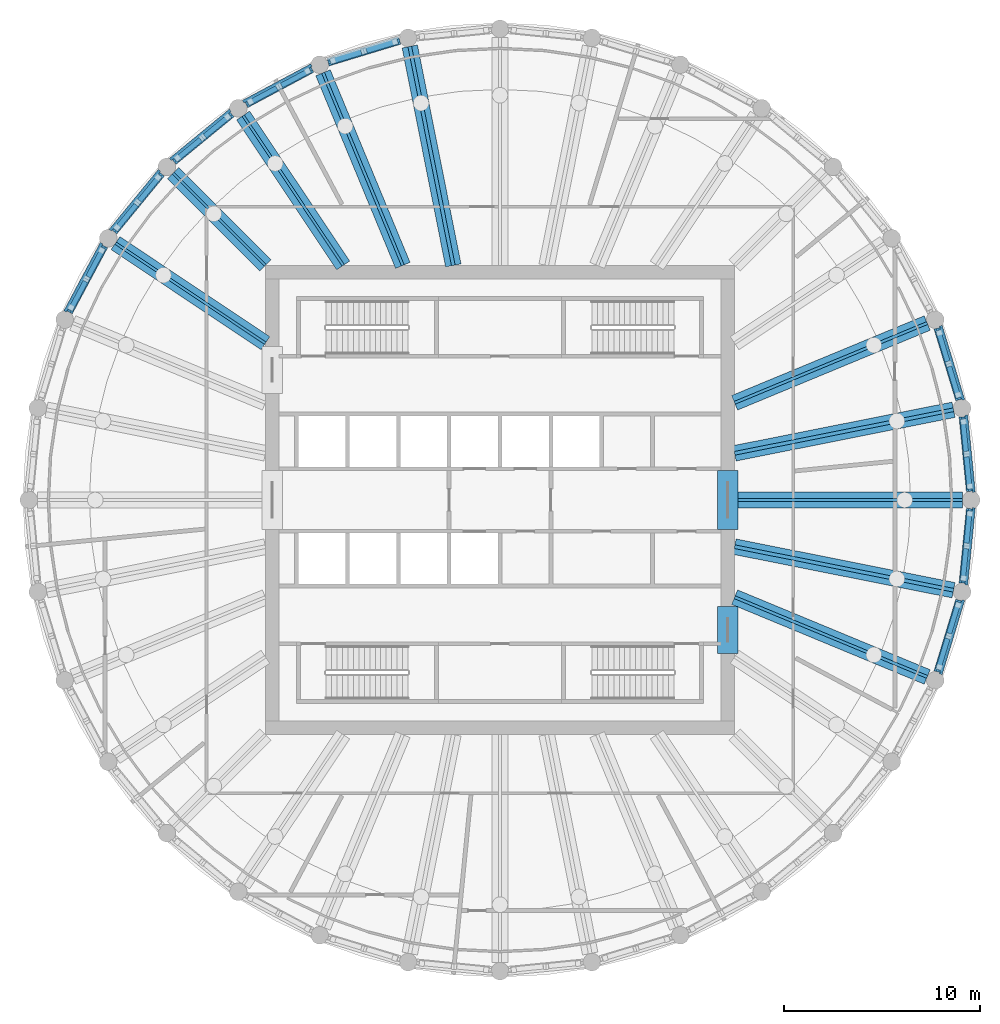
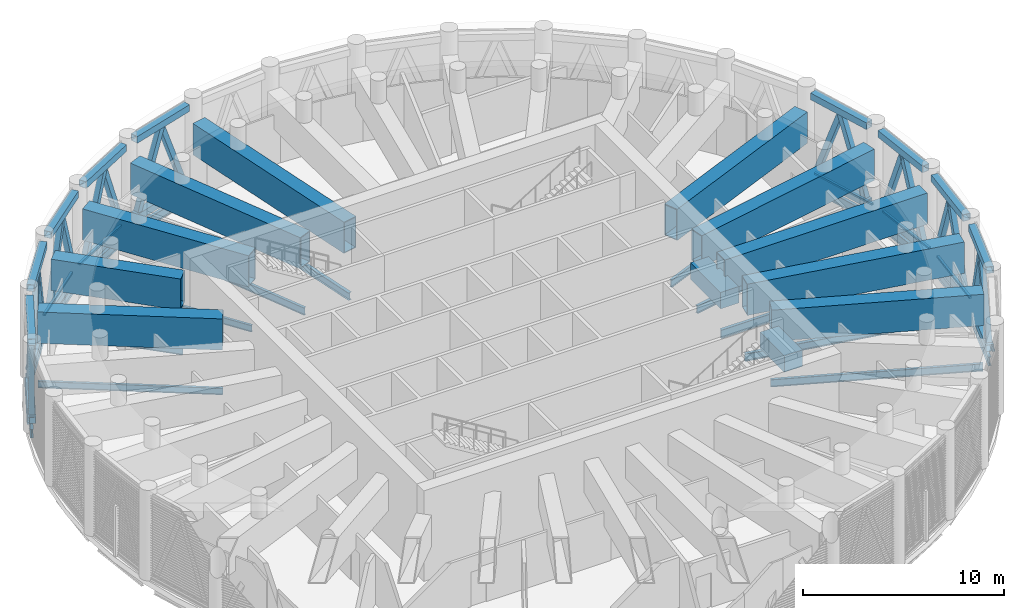
# One storey, part 3 of 19: 44 members, 31 beams, 8 elements without a shape of their own.
"""IFC4 building model written with IfcOpenShell, lengths in metres."""

import ifcopenshell
import ifcopenshell.guid

model = None  # the IFC model being written
_history = None  # IfcOwnerHistory: only IFC2X3 demands one
_inside = {}  # id of a spatial element -> (the spatial element, [elements in it])
_under = {}  # id of a project, library or spatial element -> (it, [spatial elements below it])
_declared = {}  # id of a project -> (the project, [libraries it declares])
_typed = {}  # id of a type object -> (the type object, [elements of that type])
_made_of = {}  # id of a material, layer set ... -> (it, [elements and type objects made of it])


def new_model(schema):
    """Start an empty IFC model of exactly this schema.

    Asked for "IFC4X3", IfcOpenShell would pick the latest addendum, in which some entities
    have other attributes; the version numbers below select the first issue.
    IFC2X3 requires an IfcOwnerHistory on every rooted entity: one is made here for all.
    """
    global model, _history
    if schema == "IFC4X3":
        model = ifcopenshell.file(schema_version=(4, 3, 0, 0))
    else:
        model = ifcopenshell.file(schema=schema)
    _inside.clear()
    _under.clear()
    _declared.clear()
    _typed.clear()
    _made_of.clear()
    _history = None
    if model.schema == "IFC2X3":
        org = make("IfcOrganization", Name="unknown")
        user = make(
            "IfcPersonAndOrganization",
            ThePerson=make("IfcPerson", FamilyName="unknown"),
            TheOrganization=org,
        )
        app = make(
            "IfcApplication",
            ApplicationDeveloper=org,
            Version="unknown",
            ApplicationFullName="unknown",
            ApplicationIdentifier="unknown",
        )
        _history = make(
            "IfcOwnerHistory",
            OwningUser=user,
            OwningApplication=app,
            ChangeAction="ADDED",
            CreationDate=0,
        )
    return model


def make(cls, **values):
    """One entity of the class cls with the attributes given. An attribute that is None is left unset."""
    return model.create_entity(
        cls, **{name: value for name, value in values.items() if value is not None}
    )


def rooted(cls, **values):
    """An entity with a GlobalId (a new one), such as an element, a storey or a relation."""
    return make(cls, GlobalId=ifcopenshell.guid.new(), OwnerHistory=_history, **values)


def si_unit(unit_type, name, prefix=None):
    """IfcSIUnit, for example si_unit("LENGTHUNIT", "METRE", prefix="MILLI")."""
    return make("IfcSIUnit", UnitType=unit_type, Prefix=prefix, Name=name)


def assignment(units):
    """IfcUnitAssignment: the units of a project."""
    return None if units is None else make("IfcUnitAssignment", Units=units)


def point(xyz):
    """IfcCartesianPoint."""
    return None if xyz is None else make("IfcCartesianPoint", Coordinates=xyz)


def direction(xyz):
    """IfcDirection."""
    return None if xyz is None else make("IfcDirection", DirectionRatios=xyz)


def frame(location, z_axis=None, x_axis=None):
    """IfcAxis2Placement3D, a coordinate frame: its origin and axes. An axis left out is left unset."""
    return make(
        "IfcAxis2Placement3D",
        Location=point(location),
        Axis=direction(z_axis),
        RefDirection=direction(x_axis),
    )


def frame_2d(location, x_axis=None):
    """IfcAxis2Placement2D, a coordinate frame in the plane: its origin and x axis."""
    return make(
        "IfcAxis2Placement2D", Location=point(location), RefDirection=direction(x_axis)
    )


def origin():
    """The frame at (0, 0, 0) with its axes left unset."""
    return frame((0.0, 0.0, 0.0))


def origin_2d():
    """The frame at (0, 0) in the plane with its x axis left unset."""
    return frame_2d((0.0, 0.0))


def place(relative_to, where):
    """IfcLocalPlacement: puts the frame where relative to a parent placement (None: the world)."""
    return make(
        "IfcLocalPlacement", PlacementRelTo=relative_to, RelativePlacement=where
    )


def context(
    kind, dimensions, precision=None, world=None, true_north=None, identifier=None
):
    """IfcGeometricRepresentationContext, for example the 3D "Model" context."""
    return make(
        "IfcGeometricRepresentationContext",
        ContextIdentifier=identifier,
        ContextType=kind,
        CoordinateSpaceDimension=dimensions,
        Precision=precision,
        WorldCoordinateSystem=world,
        TrueNorth=true_north,
    )


def subcontext(parent, identifier, kind, view, scale=None):
    """IfcGeometricRepresentationSubContext, for example "Body" below "Model"."""
    return make(
        "IfcGeometricRepresentationSubContext",
        ContextIdentifier=identifier,
        ContextType=kind,
        ParentContext=parent,
        TargetScale=scale,
        TargetView=view,
    )


def project(units=None, contexts=None):
    """IfcProject with its units and contexts."""
    return rooted(
        "IfcProject",
        Name="project",
        RepresentationContexts=contexts,
        UnitsInContext=assignment(units),
    )


def spatial(cls, under=None, at=None, **own):
    """A site, building, storey or space (cls), placed at a placement, below another one or the project."""
    s = rooted(cls, ObjectPlacement=at, **own)
    if under is not None:
        _under.setdefault(under.id(), (under, []))[1].append(s)
    return s


def profile(cls, at=None, kind="AREA", **sizes):
    """A parametric profile (cls). Its sizes go by their IFC names, for example OverallWidth=200.0."""
    return make(cls, ProfileType=kind, Position=at, **sizes)


def rectangle(**sizes):
    """IfcRectangleProfileDef."""
    return profile("IfcRectangleProfileDef", **sizes)


def hollow_rectangle(**sizes):
    """IfcRectangleHollowProfileDef."""
    return profile("IfcRectangleHollowProfileDef", **sizes)


def i_section(**sizes):
    """IfcIShapeProfileDef."""
    return profile("IfcIShapeProfileDef", **sizes)


def extrude(swept, where, along, depth):
    """IfcExtrudedAreaSolid: the profile swept, set in the frame where, extruded along a direction by depth."""
    return make(
        "IfcExtrudedAreaSolid",
        SweptArea=swept,
        Position=where,
        ExtrudedDirection=direction(along),
        Depth=depth,
    )


def shape(context_of_items, identifier, shape_type, items):
    """IfcShapeRepresentation: the items that make up one representation, for example the "Body"."""
    return make(
        "IfcShapeRepresentation",
        ContextOfItems=context_of_items,
        RepresentationIdentifier=identifier,
        RepresentationType=shape_type,
        Items=items,
    )


def material(Name=None, Category=None):
    """IfcMaterial."""
    return make("IfcMaterial", Name=Name, Category=Category)


def material_profile(
    of_material, cross_section, Name=None, Category=None, Priority=None
):
    """IfcMaterialProfile: a cross section and its material."""
    return make(
        "IfcMaterialProfile",
        Name=Name,
        Material=of_material,
        Profile=cross_section,
        Priority=Priority,
        Category=Category,
    )


def profile_set(profiles, Name=None, composite=None):
    """IfcMaterialProfileSet."""
    return make(
        "IfcMaterialProfileSet",
        Name=Name,
        MaterialProfiles=profiles,
        CompositeProfile=composite,
    )


def made_of(thing, what):
    """Note that an element or type object is made of a material, layer set ...; save() writes the relation."""
    if what is not None:
        _made_of.setdefault(what.id(), (what, []))[1].append(thing)
    return thing


def type_object(cls, material=None, **own):
    """A type object (cls), such as IfcWallType, which elements share."""
    return made_of(rooted(cls, **own), material)


def element(
    cls,
    number,
    at=None,
    inside=None,
    cuts=None,
    type_object=None,
    material=None,
    context=None,
    identifier="Body",
    shape_type=None,
    held_by="IfcProductDefinitionShape",
    body=None,
    shapes=None,
    **own,
):
    """One element of the class cls, such as IfcWall. Its Tag is "e" and its number.

    at: its placement. inside: the storey or other place that contains it. cuts: it is an
    opening in that element (IfcRelVoidsElement). A single representation is given by context,
    identifier, shape_type and body (its items); several are given by shapes. held_by: the class
    of the entity that holds the representations. save() writes the other relations.
    """
    e = rooted(cls, Tag="e%d" % number, ObjectPlacement=at, **own)
    if body is not None:
        shapes = [shape(context, identifier, shape_type, body)]
    if shapes is not None:
        e.Representation = make(held_by, Representations=shapes)
    if inside is not None:
        _inside.setdefault(inside.id(), (inside, []))[1].append(e)
    if cuts is not None:
        rooted(
            "IfcRelVoidsElement", RelatingBuildingElement=cuts, RelatedOpeningElement=e
        )
    if type_object is not None:
        _typed.setdefault(type_object.id(), (type_object, []))[1].append(e)
    return made_of(e, material)


def aggregate(whole, parts):
    """IfcRelAggregates: a whole, such as a stair, and the parts it consists of."""
    return rooted("IfcRelAggregates", RelatingObject=whole, RelatedObjects=parts)


def save(model, path):
    """Write the relations noted so far, then the file.

    IfcRelAggregates (storeys below a building ...), IfcRelContainedInSpatialStructure (elements
    in a storey), IfcRelDefinesByType, IfcRelAssociatesMaterial and IfcRelDeclares: one each for
    every whole, place, type object, material and project.
    """
    for whole, parts in _under.values():
        aggregate(whole, parts)
    for where, things in _inside.values():
        rooted(
            "IfcRelContainedInSpatialStructure",
            RelatedElements=things,
            RelatingStructure=where,
        )
    for kind, things in _typed.values():
        rooted("IfcRelDefinesByType", RelatedObjects=things, RelatingType=kind)
    for what, things in _made_of.values():
        rooted("IfcRelAssociatesMaterial", RelatedObjects=things, RelatingMaterial=what)
    for by, libraries in _declared.values():
        rooted("IfcRelDeclares", RelatingContext=by, RelatedDefinitions=libraries)
    model.write(path)


model = new_model("IFC4")

# Units and contexts
model_context = context("Model", 3, precision=1e-05, world=origin(), true_north=direction((0.0, 1.0)))
body_context = subcontext(model_context, "Body", "Model", "MODEL_VIEW")
ifc_project = project(units=[si_unit("LENGTHUNIT", "METRE"), si_unit("AREAUNIT", "SQUARE_METRE"), si_unit("VOLUMEUNIT", "CUBIC_METRE"), si_unit("PLANEANGLEUNIT", "RADIAN"), si_unit("MASSUNIT", "GRAM", prefix="KILO")], contexts=[model_context])

# Site, building, storey
site_placement = place(None, origin())
site = spatial("IfcSite", under=ifc_project, at=site_placement, CompositionType="ELEMENT")
building_placement = place(site_placement, origin())
building = spatial("IfcBuilding", under=site, at=building_placement, Name="Corvane Civic Tower", CompositionType="ELEMENT")
storey_placement = place(building_placement, frame((0.0, 0.0, 319.0)))
storey = spatial("IfcBuildingStorey", under=building, at=storey_placement, Name="L76", CompositionType="ELEMENT", Elevation=319.0)

# Members
ifc_material_1 = material(Name="Steel ASTM A500 Gr C", Category="steel")
ifc_material_profile_1 = material_profile(ifc_material_1, hollow_rectangle(XDim=0.406494140625, YDim=0.406494140625, WallThickness=0.0146484375, at=origin_2d()), Name="HSS16X16X5/8")
ifc_profile_set_1 = profile_set([ifc_material_profile_1], Name="Steel ASTM A500 Gr C")
member_type_1 = type_object("IfcMemberType", Name="BELT CHORD HSS16X16X5/8", PredefinedType="CHORD", material=ifc_profile_set_1)
for number, where, z_axis, x_axis, name in (
    (1, (22.39599609375, 8.7919921875, 4.94677734375), (0.290333385085, -0.95692555902, 0.0), (0.95692555902, 0.290333385085, 0.0), "Belt truss BT-L76"),
    (2, (22.39599609375, 8.7919921875, 0.203125), (0.290333385085, -0.95692555902, 0.0), (0.95692555902, 0.290333385085, 0.0), "Belt truss BT-L76"),
    (3, (23.68115234375, 4.25390625, 4.94677734375), (0.097986732007, -0.995187721162, 0.0), (0.995187721162, 0.097986732007, 0.0), "Belt truss BT-L76"),
    (4, (23.68115234375, 4.25390625, 0.203125), (0.097986732007, -0.995187721162, 0.0), (0.995187721162, 0.097986732007, 0.0), "Belt truss BT-L76"),
    (5, (24.055908203125, -0.44775390625, 4.94677734375), (-0.097986732007, -0.995187721162, 0.0), (0.995187721162, -0.097986732007, 0.0), "Belt truss BT-L76"),
    (6, (24.055908203125, -0.44775390625, 0.203125), (-0.097986732007, -0.995187721162, 0.0), (0.995187721162, -0.097986732007, 0.0), "Belt truss BT-L76"),
    (7, (23.50634765625, -5.13232421875, 4.94677734375), (-0.290333385085, -0.95692555902, 0.0), (0.95692555902, -0.290333385085, 0.0), "Belt truss BT-L76"),
    (8, (23.50634765625, -5.13232421875, 0.203125), (-0.290333385085, -0.95692555902, 0.0), (0.95692555902, -0.290333385085, 0.0), "Belt truss BT-L76"),
):
    element("IfcMember", number, at=place(storey_placement, frame(where, z_axis=z_axis, x_axis=x_axis)), inside=storey, type_object=member_type_1, Name=name, PredefinedType="CHORD", context=body_context, shape_type="SweptSolid", body=[
        extrude(hollow_rectangle(XDim=0.406494140625, YDim=0.406494140625, WallThickness=0.0146484375, at=origin_2d()), origin(), (0.0, 0.0, 1.0), 3.824462890625),
    ])
for number, where, z_axis, x_axis, name in (
    (9, (-22.05322265625, 9.61962890625, 4.94677734375), (0.471409804487, 0.881914279413, 0.0), (-0.881914279413, 0.471409804487, 0.0), "Belt truss BT-L76"),
    (10, (-22.05322265625, 9.61962890625, 0.203125), (0.471409804487, 0.881914279413, 0.0), (-0.881914279413, 0.471409804487, 0.0), "Belt truss BT-L76"),
):
    element("IfcMember", number, at=place(storey_placement, frame(where, z_axis=z_axis, x_axis=x_axis)), inside=storey, type_object=member_type_1, Name=name, PredefinedType="CHORD", context=body_context, shape_type="SweptSolid", body=[
        extrude(hollow_rectangle(XDim=0.406494140625, YDim=0.406494140625, WallThickness=0.0146484375, at=origin_2d()), origin(), (0.0, 0.0, 1.0), 3.82421875),
    ])
for number, where, z_axis, x_axis, name in (
    (11, (-19.7529296875, 13.737060546875, 4.94677734375), (0.634408562057, 0.772997914867, 0.0), (-0.772997914867, 0.634408562057, 0.0), "Belt truss BT-L76"),
    (12, (-19.7529296875, 13.737060546875, 0.203125), (0.634408562057, 0.772997914867, 0.0), (-0.772997914867, 0.634408562057, 0.0), "Belt truss BT-L76"),
    (13, (-16.693359375, 17.32666015625, 4.94677734375), (0.772997914867, 0.634408562057, 0.0), (-0.634408562057, 0.772997914867, 0.0), "Belt truss BT-L76"),
    (14, (-16.693359375, 17.32666015625, 0.203125), (0.772997914867, 0.634408562057, 0.0), (-0.634408562057, 0.772997914867, 0.0), "Belt truss BT-L76"),
):
    element("IfcMember", number, at=place(storey_placement, frame(where, z_axis=z_axis, x_axis=x_axis)), inside=storey, type_object=member_type_1, Name=name, PredefinedType="CHORD", context=body_context, shape_type="SweptSolid", body=[
        extrude(hollow_rectangle(XDim=0.406494140625, YDim=0.406494140625, WallThickness=0.0146484375, at=origin_2d()), origin(), (0.0, 0.0, 1.0), 3.824462890625),
    ])
for number, where, z_axis, x_axis, name in (
    (15, (-12.9921875, 20.25048828125, 4.94677734375), (0.881914279413, 0.471409804487, 0.0), (-0.471409804487, 0.881914279413, 0.0), "Belt truss BT-L76"),
    (16, (-12.9921875, 20.25048828125, 0.203125), (0.881914279413, 0.471409804487, 0.0), (-0.471409804487, 0.881914279413, 0.0), "Belt truss BT-L76"),
):
    element("IfcMember", number, at=place(storey_placement, frame(where, z_axis=z_axis, x_axis=x_axis)), inside=storey, type_object=member_type_1, Name=name, PredefinedType="CHORD", context=body_context, shape_type="SweptSolid", body=[
        extrude(hollow_rectangle(XDim=0.406494140625, YDim=0.406494140625, WallThickness=0.0146484375, at=origin_2d()), origin(), (0.0, 0.0, 1.0), 3.82421875),
    ])
for number, where, z_axis, x_axis, name in (
    (17, (-8.7919921875, 22.39599609375, 4.94677734375), (0.95692555902, 0.290333385085, 0.0), (-0.290333385085, 0.95692555902, 0.0), "Belt truss BT-L76"),
    (18, (-8.7919921875, 22.39599609375, 0.203125), (0.95692555902, 0.290333385085, 0.0), (-0.290333385085, 0.95692555902, 0.0), "Belt truss BT-L76"),
):
    element("IfcMember", number, at=place(storey_placement, frame(where, z_axis=z_axis, x_axis=x_axis)), inside=storey, type_object=member_type_1, Name=name, PredefinedType="CHORD", context=body_context, shape_type="SweptSolid", body=[
        extrude(hollow_rectangle(XDim=0.406494140625, YDim=0.406494140625, WallThickness=0.0146484375, at=origin_2d()), origin(), (0.0, 0.0, 1.0), 3.824462890625),
    ])
ifc_material_2 = material(Name="Steel ASTM A500 Gr C", Category="steel")
ifc_material_profile_2 = material_profile(ifc_material_2, hollow_rectangle(XDim=0.3046875, YDim=0.3046875, WallThickness=0.01171875, at=origin_2d()), Name="HSS12X12X1/2")
ifc_profile_set_2 = profile_set([ifc_material_profile_2], Name="Steel ASTM A500 Gr C")
member_type_2 = type_object("IfcMemberType", Name="BELT DIAGONAL HSS12X12X1/2", PredefinedType="BRACE", material=ifc_profile_set_2)
for number, where, z_axis, x_axis, name in (
    (19, (22.468505859375, 8.552734375, 0.406494140625), (0.103916136415, -0.34244493108, 0.93377347669), (0.956911919396, 0.29037833686, 0.0), "Belt truss BT-L76"),
    (20, (23.433837890625, 5.37158203125, 0.406494140625), (-0.103916136415, 0.34244493108, 0.93377347669), (-0.956911919396, -0.29037833686, 0.0), "Belt truss BT-L76"),
    (21, (23.70556640625, 4.005126953125, 0.406494140625), (0.035058955222, -0.356161140311, 0.933766625978), (0.995190136957, 0.097962193234, 0.0), "Belt truss BT-L76"),
    (22, (24.031494140625, 0.696533203125, 0.406494140625), (-0.035111452623, 0.356160483497, 0.933764903972), (-0.995175808043, -0.098107650498, 0.0), "Belt truss BT-L76"),
    (23, (24.031494140625, -0.696533203125, 0.406494140625), (-0.035111452623, -0.356160483497, 0.933764903972), (0.995175808043, -0.098107650498, 0.0), "Belt truss BT-L76"),
    (24, (23.70556640625, -4.005126953125, 0.406494140625), (0.035058955222, 0.356161140311, 0.933766625978), (-0.995190136957, 0.097962193234, 0.0), "Belt truss BT-L76"),
    (25, (23.433837890625, -5.37158203125, 0.406494140625), (-0.103916136415, -0.34244493108, 0.93377347669), (0.956911919396, -0.29037833686, 0.0), "Belt truss BT-L76"),
    (26, (22.468505859375, -8.552734375, 0.406494140625), (0.103916136415, 0.34244493108, 0.93377347669), (-0.956911919396, 0.29037833686, 0.0), "Belt truss BT-L76"),
    (27, (-21.935302734375, 9.840087890625, 0.406494140625), (0.168675059844, 0.315588987007, 0.933783869783), (-0.881933774385, 0.471373331446, 0.0), "Belt truss BT-L76"),
    (28, (-20.368408203125, 12.771728515625, 0.406494140625), (-0.168675059844, -0.315588987007, 0.933783869783), (0.881933774385, -0.471373331446, 0.0), "Belt truss BT-L76"),
    (29, (-19.59423828125, 13.93017578125, 0.406494140625), (0.227014556134, 0.27668548819, 0.933760960808), (-0.773086296565, 0.634300857687, 0.0), "Belt truss BT-L76"),
    (30, (-17.4853515625, 16.500244140625, 0.406494140625), (-0.227017857387, -0.276636949162, 0.93377453959), (0.773027198038, -0.634372880168, 0.0), "Belt truss BT-L76"),
    (31, (-16.500244140625, 17.4853515625, 0.406494140625), (0.276636949162, 0.227017857387, 0.93377453959), (-0.634372880168, 0.773027198038, 0.0), "Belt truss BT-L76"),
    (32, (-13.93017578125, 19.59423828125, 0.406494140625), (-0.27668548819, -0.227014556134, 0.933760960808), (0.634300857687, -0.773086296565, 0.0), "Belt truss BT-L76"),
    (33, (-12.771728515625, 20.368408203125, 0.406494140625), (0.315588987007, 0.168675059844, 0.933783869783), (-0.471373331446, 0.881933774385, 0.0), "Belt truss BT-L76"),
    (34, (-9.840087890625, 21.935302734375, 0.406494140625), (-0.315588987007, -0.168675059844, 0.933783869783), (0.471373331446, -0.881933774385, 0.0), "Belt truss BT-L76"),
    (35, (-8.552734375, 22.468505859375, 0.406494140625), (0.34244493108, 0.103916136415, 0.93377347669), (-0.29037833686, 0.956911919396, 0.0), "Belt truss BT-L76"),
    (36, (-5.37158203125, 23.433837890625, 0.406494140625), (-0.34244493108, -0.103916136415, 0.93377347669), (0.29037833686, -0.956911919396, 0.0), "Belt truss BT-L76"),
):
    element("IfcMember", number, at=place(storey_placement, frame(where, z_axis=z_axis, x_axis=x_axis)), inside=storey, type_object=member_type_2, Name=name, PredefinedType="BRACE", context=body_context, shape_type="SweptSolid", body=[
        extrude(hollow_rectangle(XDim=0.3046875, YDim=0.3046875, WallThickness=0.01171875, at=origin_2d()), origin(), (0.0, 0.0, 1.0), 4.644775390625),
    ])

# Beams
ifc_material_3 = material(Name="Concrete C40/50", Category="concrete")
ifc_material_profile_3 = material_profile(ifc_material_3, rectangle(XDim=1.050048828125, YDim=1.0, at=origin_2d()), Name="COUPLING BEAM 1050X1000")
ifc_profile_set_3 = profile_set([ifc_material_profile_3], Name="Concrete C40/50")
beam_type_1 = type_object("IfcBeamType", Name="COUPLING BEAM COUPLING BEAM 1050X1000", PredefinedType="BEAM", material=ifc_profile_set_3)
beam_1_placement = place(storey_placement, frame((11.64990234375, -1.5, 2.60009765625), z_axis=(0.0, 1.0, 0.0), x_axis=(-1.0, 0.0, 0.0)))
element("IfcBeam", 37, at=beam_1_placement, inside=storey, type_object=beam_type_1, Name="BM-L76-cpl-CW-LE", PredefinedType="BEAM", context=body_context, shape_type="SweptSolid", body=[
    extrude(rectangle(XDim=1.050048828125, YDim=1.0, at=origin_2d()), origin(), (0.0, 0.0, 1.0), 3.0),
])
beam_2_placement = place(storey_placement, frame((11.64990234375, -7.85009765625, 2.60009765625), z_axis=(0.0, 1.0, 0.0), x_axis=(-1.0, 0.0, 0.0)))
element("IfcBeam", 38, at=beam_2_placement, inside=storey, type_object=beam_type_1, Name="BM-L76-cpl-CW-ES", PredefinedType="BEAM", context=body_context, shape_type="SweptSolid", body=[
    extrude(rectangle(XDim=1.050048828125, YDim=1.0, at=origin_2d()), origin(), (0.0, 0.0, 1.0), 2.400146484375),
])
ifc_material_4 = material(Name="Steel ASTM A992 Gr 50", Category="steel")
ifc_material_profile_4 = material_profile(ifc_material_4, i_section(OverallWidth=0.165771484375, OverallDepth=0.5283203125, WebThickness=0.009765625, FlangeThickness=0.013671875, at=origin_2d()), Name="W21X50")
ifc_profile_set_4 = profile_set([ifc_material_profile_4], Name="Steel ASTM A992 Gr 50")
beam_type_2 = type_object("IfcBeamType", Name="EDGE BEAM W21X50", PredefinedType="BEAM", material=ifc_profile_set_4)
for number, where, z_axis, x_axis, name in (
    (39, (22.39599609375, 8.7919921875, -0.6142578125), (0.290333385085, -0.95692555902, 0.0), (0.95692555902, 0.290333385085, 0.0), "BM-L76-E07"),
    (40, (23.68115234375, 4.25390625, -0.6142578125), (0.097986732007, -0.995187721162, 0.0), (0.995187721162, 0.097986732007, 0.0), "BM-L76-E08"),
    (41, (24.055908203125, -0.44775390625, -0.6142578125), (-0.097986732007, -0.995187721162, 0.0), (0.995187721162, -0.097986732007, 0.0), "BM-L76-E09"),
    (42, (23.50634765625, -5.13232421875, -0.6142578125), (-0.290333385085, -0.95692555902, 0.0), (0.95692555902, -0.290333385085, 0.0), "BM-L76-E10"),
):
    element("IfcBeam", number, at=place(storey_placement, frame(where, z_axis=z_axis, x_axis=x_axis)), inside=storey, type_object=beam_type_2, Name=name, PredefinedType="BEAM", context=body_context, shape_type="SweptSolid", body=[
        extrude(i_section(OverallWidth=0.165771484375, OverallDepth=0.5283203125, WebThickness=0.009765625, FlangeThickness=0.013671875, at=origin_2d()), origin(), (0.0, 0.0, 1.0), 3.824462890625),
    ])
beam_3_placement = place(storey_placement, frame((-22.05322265625, 9.61962890625, -0.6142578125), z_axis=(0.471409804487, 0.881914279413, 0.0), x_axis=(-0.881914279413, 0.471409804487, 0.0)))
element("IfcBeam", 43, at=beam_3_placement, inside=storey, type_object=beam_type_2, Name="BM-L76-E27", PredefinedType="BEAM", context=body_context, shape_type="SweptSolid", body=[
    extrude(i_section(OverallWidth=0.165771484375, OverallDepth=0.5283203125, WebThickness=0.009765625, FlangeThickness=0.013671875, at=origin_2d()), origin(), (0.0, 0.0, 1.0), 3.82421875),
])
for number, where, z_axis, x_axis, name in (
    (44, (-19.7529296875, 13.737060546875, -0.6142578125), (0.634408562057, 0.772997914867, 0.0), (-0.772997914867, 0.634408562057, 0.0), "BM-L76-E28"),
    (45, (-16.693359375, 17.32666015625, -0.6142578125), (0.772997914867, 0.634408562057, 0.0), (-0.634408562057, 0.772997914867, 0.0), "BM-L76-E29"),
):
    element("IfcBeam", number, at=place(storey_placement, frame(where, z_axis=z_axis, x_axis=x_axis)), inside=storey, type_object=beam_type_2, Name=name, PredefinedType="BEAM", context=body_context, shape_type="SweptSolid", body=[
        extrude(i_section(OverallWidth=0.165771484375, OverallDepth=0.5283203125, WebThickness=0.009765625, FlangeThickness=0.013671875, at=origin_2d()), origin(), (0.0, 0.0, 1.0), 3.824462890625),
    ])
beam_4_placement = place(storey_placement, frame((-12.9921875, 20.25048828125, -0.6142578125), z_axis=(0.881914279413, 0.471409804487, 0.0), x_axis=(-0.471409804487, 0.881914279413, 0.0)))
element("IfcBeam", 46, at=beam_4_placement, inside=storey, type_object=beam_type_2, Name="BM-L76-E30", PredefinedType="BEAM", context=body_context, shape_type="SweptSolid", body=[
    extrude(i_section(OverallWidth=0.165771484375, OverallDepth=0.5283203125, WebThickness=0.009765625, FlangeThickness=0.013671875, at=origin_2d()), origin(), (0.0, 0.0, 1.0), 3.82421875),
])
beam_5_placement = place(storey_placement, frame((-8.7919921875, 22.39599609375, -0.6142578125), z_axis=(0.95692555902, 0.290333385085, 0.0), x_axis=(-0.290333385085, 0.95692555902, 0.0)))
element("IfcBeam", 47, at=beam_5_placement, inside=storey, type_object=beam_type_2, Name="BM-L76-E31", PredefinedType="BEAM", context=body_context, shape_type="SweptSolid", body=[
    extrude(i_section(OverallWidth=0.165771484375, OverallDepth=0.5283203125, WebThickness=0.009765625, FlangeThickness=0.013671875, at=origin_2d()), origin(), (0.0, 0.0, 1.0), 3.824462890625),
])
ifc_material_5 = material(Name="Steel ASTM A992 Gr 50", Category="steel")
ifc_material_profile_5 = material_profile(ifc_material_5, i_section(OverallWidth=0.140380859375, OverallDepth=0.40380859375, WebThickness=0.007080078125, FlangeThickness=0.01123046875, at=origin_2d()), Name="W16X31")
ifc_profile_set_5 = profile_set([ifc_material_profile_5], Name="Steel ASTM A992 Gr 50")
beam_type_3 = type_object("IfcBeamType", Name="FLOOR GIRDER W16X31", PredefinedType="BEAM", material=ifc_profile_set_5)
beam_6_placement = place(storey_placement, frame((-12.0, 8.01806640625, -0.552001953125), z_axis=(-0.831471227061, 0.555567816355, 0.0), x_axis=(-0.555567816355, -0.831471227061, 0.0)))
element("IfcBeam", 48, at=beam_6_placement, inside=storey, type_object=beam_type_3, Name="BM-L76-G28", PredefinedType="BEAM", context=body_context, shape_type="SweptSolid", body=[
    extrude(i_section(OverallWidth=0.140380859375, OverallDepth=0.40380859375, WebThickness=0.007080078125, FlangeThickness=0.01123046875, at=origin_2d()), origin(), (0.0, 0.0, 1.0), 9.2177734375),
])
beam_7_placement = place(storey_placement, frame((-12.0, 12.0, -0.552001953125), z_axis=(-0.707106781187, 0.707106781187, 0.0), x_axis=(-0.707106781187, -0.707106781187, 0.0)))
element("IfcBeam", 49, at=beam_7_placement, inside=storey, type_object=beam_type_3, Name="BM-L76-G29", PredefinedType="BEAM", context=body_context, shape_type="SweptSolid", body=[
    extrude(i_section(OverallWidth=0.140380859375, OverallDepth=0.40380859375, WebThickness=0.007080078125, FlangeThickness=0.01123046875, at=origin_2d()), origin(), (0.0, 0.0, 1.0), 6.679443359375),
])
beam_8_placement = place(storey_placement, frame((-8.01806640625, 12.0, -0.552001953125), z_axis=(-0.555567816355, 0.831471227061, 0.0), x_axis=(-0.831471227061, -0.555567816355, 0.0)))
element("IfcBeam", 50, at=beam_8_placement, inside=storey, type_object=beam_type_3, Name="BM-L76-G30", PredefinedType="BEAM", context=body_context, shape_type="SweptSolid", body=[
    extrude(i_section(OverallWidth=0.140380859375, OverallDepth=0.40380859375, WebThickness=0.007080078125, FlangeThickness=0.01123046875, at=origin_2d()), origin(), (0.0, 0.0, 1.0), 9.2177734375),
])
ifc_material_6 = material(Name="Steel ASTM A992 Gr 50", Category="steel")
ifc_material_profile_6 = material_profile(ifc_material_6, i_section(OverallWidth=0.15283203125, OverallDepth=0.45458984375, WebThickness=0.008056640625, FlangeThickness=0.013427734375, at=origin_2d()), Name="W18X40")
ifc_profile_set_6 = profile_set([ifc_material_profile_6], Name="Steel ASTM A992 Gr 50")
beam_type_4 = type_object("IfcBeamType", Name="FLOOR GIRDER W18X40", PredefinedType="BEAM", material=ifc_profile_set_6)
for number, where, z_axis, x_axis, name in (
    (51, (12.0, 4.970458984375, -0.577392578125), (0.923875048589, 0.382694257331, 0.0), (-0.382694257331, 0.923875048589, 0.0), "BM-L76-G07"),
    (52, (12.0, -4.970458984375, -0.577392578125), (0.923875048589, -0.382694257331, 0.0), (0.382694257331, 0.923875048589, 0.0), "BM-L76-G11"),
    (53, (-4.970458984375, 12.0, -0.577392578125), (-0.382694257331, 0.923875048589, 0.0), (-0.923875048589, -0.382694257331, 0.0), "BM-L76-G31"),
):
    element("IfcBeam", number, at=place(storey_placement, frame(where, z_axis=z_axis, x_axis=x_axis)), inside=storey, type_object=beam_type_4, Name=name, PredefinedType="BEAM", context=body_context, shape_type="SweptSolid", body=[
        extrude(i_section(OverallWidth=0.15283203125, OverallDepth=0.45458984375, WebThickness=0.008056640625, FlangeThickness=0.013427734375, at=origin_2d()), origin(), (0.0, 0.0, 1.0), 10.661376953125),
    ])
ifc_material_7 = material(Name="Steel ASTM A992 Gr 50", Category="steel")
ifc_material_profile_7 = material_profile(ifc_material_7, i_section(OverallWidth=0.1904296875, OverallDepth=0.457275390625, WebThickness=0.009033203125, FlangeThickness=0.014404296875, at=origin_2d()), Name="W18X50")
ifc_profile_set_7 = profile_set([ifc_material_profile_7], Name="Steel ASTM A992 Gr 50")
beam_type_5 = type_object("IfcBeamType", Name="FLOOR GIRDER W18X50", PredefinedType="BEAM", material=ifc_profile_set_7)
for number, where, z_axis, x_axis, name in (
    (54, (12.0, 2.386962890625, -0.57861328125), (0.980787426529, 0.195079532402, 0.0), (-0.195079532402, 0.980787426529, 0.0), "BM-L76-G08"),
    (55, (12.0, -2.386962890625, -0.57861328125), (0.980787426529, -0.195079532402, 0.0), (0.195079532402, 0.980787426529, 0.0), "BM-L76-G10"),
    (56, (-2.386962890625, 12.0, -0.57861328125), (-0.195079532402, 0.980787426529, 0.0), (-0.980787426529, -0.195079532402, 0.0), "BM-L76-G32"),
):
    element("IfcBeam", number, at=place(storey_placement, frame(where, z_axis=z_axis, x_axis=x_axis)), inside=storey, type_object=beam_type_5, Name=name, PredefinedType="BEAM", context=body_context, shape_type="SweptSolid", body=[
        extrude(i_section(OverallWidth=0.1904296875, OverallDepth=0.457275390625, WebThickness=0.009033203125, FlangeThickness=0.014404296875, at=origin_2d()), origin(), (0.0, 0.0, 1.0), 11.414794921875),
    ])
ifc_material_8 = material(Name="Steel ASTM A992 Gr 50", Category="steel")
ifc_material_profile_8 = material_profile(ifc_material_8, i_section(OverallWidth=0.165771484375, OverallDepth=0.5283203125, WebThickness=0.009765625, FlangeThickness=0.013671875, at=origin_2d()), Name="W21X50")
ifc_profile_set_8 = profile_set([ifc_material_profile_8], Name="Steel ASTM A992 Gr 50")
beam_type_6 = type_object("IfcBeamType", Name="FLOOR GIRDER W21X50", PredefinedType="BEAM", material=ifc_profile_set_8)
beam_9_placement = place(storey_placement, frame((12.0, 0.0, -0.6142578125), z_axis=(1.0, 0.0, 0.0), x_axis=(0.0, 1.0, 0.0)))
element("IfcBeam", 57, at=beam_9_placement, inside=storey, type_object=beam_type_6, Name="BM-L76-G09", PredefinedType="BEAM", context=body_context, shape_type="SweptSolid", body=[
    extrude(i_section(OverallWidth=0.165771484375, OverallDepth=0.5283203125, WebThickness=0.009765625, FlangeThickness=0.013671875, at=origin_2d()), origin(), (0.0, 0.0, 1.0), 11.64990234375),
])

# Curtain wall, member
ifc_material_9 = material(Name="Anodised aluminium bronze", Category="aluminium")
curtain_wall_type = type_object("IfcCurtainWallType", Name="TOWER CW-LV LOUVRE SCREEN WALL", PredefinedType="NOTDEFINED", material=ifc_material_9)
curtain_wall_1_placement = place(storey_placement, origin())
curtain_wall_1 = element("IfcCurtainWall", 58, at=curtain_wall_1_placement, inside=storey, type_object=curtain_wall_type, Name="Louvre screen wall CW-LV L76 bay 07", PredefinedType="NOTDEFINED")
ifc_material_10 = material(Name="Anodised aluminium bronze", Category="aluminium")
ifc_material_profile_9 = material_profile(ifc_material_10, rectangle(XDim=0.139892578125, YDim=0.1201171875, at=origin_2d()), Name="TOWER CW-LV TRANSOM 140x120")
ifc_profile_set_9 = profile_set([ifc_material_profile_9], Name="Anodised aluminium bronze")
member_type_3 = type_object("IfcMemberType", Name="TOWER CW-LV TRANSOM 140x120", PredefinedType="USERDEFINED", material=ifc_profile_set_9)
member_1_placement = place(storey_placement, frame((22.548095703125, 8.908447265625, 0.06005859375), z_axis=(0.290265825309, -0.956946054205, 0.0), x_axis=(0.956946054205, 0.290265825309, 0.0)))
member_1 = element("IfcMember", 59, at=member_1_placement, type_object=member_type_3, Name="Transom CW-LV L76 07.1", ObjectType="TRANSOM", PredefinedType="USERDEFINED", context=body_context, shape_type="SweptSolid", body=[
    extrude(rectangle(XDim=0.139892578125, YDim=0.1201171875, at=origin_2d()), origin(), (0.0, 0.0, 1.0), 3.958984375),
])
aggregate(curtain_wall_1, [member_1])

curtain_wall_2_placement = place(storey_placement, origin())
curtain_wall_2 = element("IfcCurtainWall", 60, at=curtain_wall_2_placement, inside=storey, type_object=curtain_wall_type, Name="Louvre screen wall CW-LV L76 bay 08", PredefinedType="NOTDEFINED")
member_2_placement = place(storey_placement, frame((23.852783203125, 4.338134765625, 0.06005859375), z_axis=(0.097995409999, -0.995186866683, 0.0), x_axis=(0.995186866683, 0.097995409999, 0.0)))
member_2 = element("IfcMember", 61, at=member_2_placement, type_object=member_type_3, Name="Transom CW-LV L76 08.1", ObjectType="TRANSOM", PredefinedType="USERDEFINED", context=body_context, shape_type="SweptSolid", body=[
    extrude(rectangle(XDim=0.139892578125, YDim=0.1201171875, at=origin_2d()), origin(), (0.0, 0.0, 1.0), 3.958740234375),
])
aggregate(curtain_wall_2, [member_2])

curtain_wall_3_placement = place(storey_placement, origin())
curtain_wall_3 = element("IfcCurtainWall", 62, at=curtain_wall_3_placement, inside=storey, type_object=curtain_wall_type, Name="Louvre screen wall CW-LV L76 bay 09", PredefinedType="NOTDEFINED")
member_3_placement = place(storey_placement, frame((24.24072265625, -0.3984375, 0.06005859375), z_axis=(-0.097995409999, -0.995186866683, 0.0), x_axis=(0.995186866683, -0.097995409999, 0.0)))
member_3 = element("IfcMember", 63, at=member_3_placement, type_object=member_type_3, Name="Transom CW-LV L76 09.1", ObjectType="TRANSOM", PredefinedType="USERDEFINED", context=body_context, shape_type="SweptSolid", body=[
    extrude(rectangle(XDim=0.139892578125, YDim=0.1201171875, at=origin_2d()), origin(), (0.0, 0.0, 1.0), 3.958740234375),
])
aggregate(curtain_wall_3, [member_3])

curtain_wall_4_placement = place(storey_placement, origin())
curtain_wall_4 = element("IfcCurtainWall", 64, at=curtain_wall_4_placement, inside=storey, type_object=curtain_wall_type, Name="Louvre screen wall CW-LV L76 bay 10", PredefinedType="NOTDEFINED")
member_4_placement = place(storey_placement, frame((23.697265625, -5.119873046875, 0.06005859375), z_axis=(-0.290265825309, -0.956946054205, 0.0), x_axis=(0.956946054205, -0.290265825309, 0.0)))
member_4 = element("IfcMember", 65, at=member_4_placement, type_object=member_type_3, Name="Transom CW-LV L76 10.1", ObjectType="TRANSOM", PredefinedType="USERDEFINED", context=body_context, shape_type="SweptSolid", body=[
    extrude(rectangle(XDim=0.139892578125, YDim=0.1201171875, at=origin_2d()), origin(), (0.0, 0.0, 1.0), 3.958984375),
])
aggregate(curtain_wall_4, [member_4])

curtain_wall_5_placement = place(storey_placement, origin())
curtain_wall_5 = element("IfcCurtainWall", 66, at=curtain_wall_5_placement, inside=storey, type_object=curtain_wall_type, Name="Louvre screen wall CW-LV L76 bay 27", PredefinedType="NOTDEFINED")
member_5_placement = place(storey_placement, frame((-22.2431640625, 9.644775390625, 0.06005859375), z_axis=(0.471468241052, 0.881883040816, 0.0), x_axis=(-0.881883040816, 0.471468241052, 0.0)))
member_5 = element("IfcMember", 67, at=member_5_placement, type_object=member_type_3, Name="Transom CW-LV L76 27.1", ObjectType="TRANSOM", PredefinedType="USERDEFINED", context=body_context, shape_type="SweptSolid", body=[
    extrude(rectangle(XDim=0.139892578125, YDim=0.1201171875, at=origin_2d()), origin(), (0.0, 0.0, 1.0), 3.958740234375),
])
aggregate(curtain_wall_5, [member_5])

curtain_wall_6_placement = place(storey_placement, origin())
curtain_wall_6 = element("IfcCurtainWall", 68, at=curtain_wall_6_placement, inside=storey, type_object=curtain_wall_type, Name="Louvre screen wall CW-LV L76 bay 28", PredefinedType="NOTDEFINED")
member_6_placement = place(storey_placement, frame((-19.93408203125, 13.798828125, 0.06005859375), z_axis=(0.634415838373, 0.772991943051, 0.0), x_axis=(-0.772991943051, 0.634415838373, 0.0)))
member_6 = element("IfcMember", 69, at=member_6_placement, type_object=member_type_3, Name="Transom CW-LV L76 28.1", ObjectType="TRANSOM", PredefinedType="USERDEFINED", context=body_context, shape_type="SweptSolid", body=[
    extrude(rectangle(XDim=0.139892578125, YDim=0.1201171875, at=origin_2d()), origin(), (0.0, 0.0, 1.0), 3.958740234375),
])
aggregate(curtain_wall_6, [member_6])

curtain_wall_7_placement = place(storey_placement, origin())
curtain_wall_7 = element("IfcCurtainWall", 70, at=curtain_wall_7_placement, inside=storey, type_object=curtain_wall_type, Name="Louvre screen wall CW-LV L76 bay 29", PredefinedType="NOTDEFINED")
member_7_placement = place(storey_placement, frame((-16.85888671875, 17.422607421875, 0.06005859375), z_axis=(0.772991943051, 0.634415838373, 0.0), x_axis=(-0.634415838373, 0.772991943051, 0.0)))
member_7 = element("IfcMember", 71, at=member_7_placement, type_object=member_type_3, Name="Transom CW-LV L76 29.1", ObjectType="TRANSOM", PredefinedType="USERDEFINED", context=body_context, shape_type="SweptSolid", body=[
    extrude(rectangle(XDim=0.139892578125, YDim=0.1201171875, at=origin_2d()), origin(), (0.0, 0.0, 1.0), 3.958740234375),
])
aggregate(curtain_wall_7, [member_7])

curtain_wall_8_placement = place(storey_placement, origin())
curtain_wall_8 = element("IfcCurtainWall", 72, at=curtain_wall_8_placement, inside=storey, type_object=curtain_wall_type, Name="Louvre screen wall CW-LV L76 bay 30", PredefinedType="NOTDEFINED")
member_8_placement = place(storey_placement, frame((-13.135986328125, 20.376708984375, 0.06005859375), z_axis=(0.881883040816, 0.471468241052, 0.0), x_axis=(-0.471468241052, 0.881883040816, 0.0)))
member_8 = element("IfcMember", 73, at=member_8_placement, type_object=member_type_3, Name="Transom CW-LV L76 30.1", ObjectType="TRANSOM", PredefinedType="USERDEFINED", context=body_context, shape_type="SweptSolid", body=[
    extrude(rectangle(XDim=0.139892578125, YDim=0.1201171875, at=origin_2d()), origin(), (0.0, 0.0, 1.0), 3.958740234375),
])
aggregate(curtain_wall_8, [member_8])

# Beams
ifc_material_11 = material(Name="Steel ASTM A572 Gr 50", Category="steel")
ifc_material_profile_10 = material_profile(ifc_material_11, hollow_rectangle(XDim=0.800048828125, YDim=1.89990234375, WallThickness=0.050048828125, at=origin_2d()), Name="BOX1900X800X50")
ifc_profile_set_10 = profile_set([ifc_material_profile_10], Name="Steel ASTM A572 Gr 50")
beam_type_7 = type_object("IfcBeamType", Name="TRANSFER GIRDER BOX1900X800X50", PredefinedType="BEAM", material=ifc_profile_set_10)
beam_10_placement = place(storey_placement, frame((12.0, 4.970458984375, 3.14990234375), z_axis=(0.923875048589, 0.382694257331, 0.0), x_axis=(-0.382694257331, 0.923875048589, 0.0)))
element("IfcBeam", 74, at=beam_10_placement, inside=storey, type_object=beam_type_7, Name="Transfer girder TG-L76-7", PredefinedType="BEAM", context=body_context, shape_type="SweptSolid", body=[
    extrude(hollow_rectangle(XDim=0.800048828125, YDim=1.89990234375, WallThickness=0.050048828125, at=origin_2d()), origin(), (0.0, 0.0, 1.0), 10.661376953125),
])
beam_11_placement = place(storey_placement, frame((12.0, 2.386962890625, 3.14990234375), z_axis=(0.980787426529, 0.195079532402, 0.0), x_axis=(-0.195079532402, 0.980787426529, 0.0)))
element("IfcBeam", 75, at=beam_11_placement, inside=storey, type_object=beam_type_7, Name="Transfer girder TG-L76-8", PredefinedType="BEAM", context=body_context, shape_type="SweptSolid", body=[
    extrude(hollow_rectangle(XDim=0.800048828125, YDim=1.89990234375, WallThickness=0.050048828125, at=origin_2d()), origin(), (0.0, 0.0, 1.0), 11.414794921875),
])
beam_12_placement = place(storey_placement, frame((12.0, 0.0, 3.14990234375), z_axis=(1.0, 0.0, 0.0), x_axis=(0.0, 1.0, 0.0)))
element("IfcBeam", 76, at=beam_12_placement, inside=storey, type_object=beam_type_7, Name="Transfer girder TG-L76-9", PredefinedType="BEAM", context=body_context, shape_type="SweptSolid", body=[
    extrude(hollow_rectangle(XDim=0.800048828125, YDim=1.89990234375, WallThickness=0.050048828125, at=origin_2d()), origin(), (0.0, 0.0, 1.0), 11.64990234375),
])
beam_13_placement = place(storey_placement, frame((12.0, -2.386962890625, 3.14990234375), z_axis=(0.980787426529, -0.195079532402, 0.0), x_axis=(0.195079532402, 0.980787426529, 0.0)))
element("IfcBeam", 77, at=beam_13_placement, inside=storey, type_object=beam_type_7, Name="Transfer girder TG-L76-10", PredefinedType="BEAM", context=body_context, shape_type="SweptSolid", body=[
    extrude(hollow_rectangle(XDim=0.800048828125, YDim=1.89990234375, WallThickness=0.050048828125, at=origin_2d()), origin(), (0.0, 0.0, 1.0), 11.414794921875),
])
beam_14_placement = place(storey_placement, frame((12.0, -4.970458984375, 3.14990234375), z_axis=(0.923875048589, -0.382694257331, 0.0), x_axis=(0.382694257331, 0.923875048589, 0.0)))
element("IfcBeam", 78, at=beam_14_placement, inside=storey, type_object=beam_type_7, Name="Transfer girder TG-L76-11", PredefinedType="BEAM", context=body_context, shape_type="SweptSolid", body=[
    extrude(hollow_rectangle(XDim=0.800048828125, YDim=1.89990234375, WallThickness=0.050048828125, at=origin_2d()), origin(), (0.0, 0.0, 1.0), 10.661376953125),
])
beam_15_placement = place(storey_placement, frame((-12.0, 8.01806640625, 3.14990234375), z_axis=(-0.831471227061, 0.555567816355, 0.0), x_axis=(-0.555567816355, -0.831471227061, 0.0)))
element("IfcBeam", 79, at=beam_15_placement, inside=storey, type_object=beam_type_7, Name="Transfer girder TG-L76-28", PredefinedType="BEAM", context=body_context, shape_type="SweptSolid", body=[
    extrude(hollow_rectangle(XDim=0.800048828125, YDim=1.89990234375, WallThickness=0.050048828125, at=origin_2d()), origin(), (0.0, 0.0, 1.0), 9.2177734375),
])
beam_16_placement = place(storey_placement, frame((-12.0, 12.0, 3.14990234375), z_axis=(-0.707106781187, 0.707106781187, 0.0), x_axis=(-0.707106781187, -0.707106781187, 0.0)))
element("IfcBeam", 80, at=beam_16_placement, inside=storey, type_object=beam_type_7, Name="Transfer girder TG-L76-29", PredefinedType="BEAM", context=body_context, shape_type="SweptSolid", body=[
    extrude(hollow_rectangle(XDim=0.800048828125, YDim=1.89990234375, WallThickness=0.050048828125, at=origin_2d()), origin(), (0.0, 0.0, 1.0), 6.679443359375),
])
beam_17_placement = place(storey_placement, frame((-8.01806640625, 12.0, 3.14990234375), z_axis=(-0.555567816355, 0.831471227061, 0.0), x_axis=(-0.831471227061, -0.555567816355, 0.0)))
element("IfcBeam", 81, at=beam_17_placement, inside=storey, type_object=beam_type_7, Name="Transfer girder TG-L76-30", PredefinedType="BEAM", context=body_context, shape_type="SweptSolid", body=[
    extrude(hollow_rectangle(XDim=0.800048828125, YDim=1.89990234375, WallThickness=0.050048828125, at=origin_2d()), origin(), (0.0, 0.0, 1.0), 9.2177734375),
])
beam_18_placement = place(storey_placement, frame((-4.970458984375, 12.0, 3.14990234375), z_axis=(-0.382694257331, 0.923875048589, 0.0), x_axis=(-0.923875048589, -0.382694257331, 0.0)))
element("IfcBeam", 82, at=beam_18_placement, inside=storey, type_object=beam_type_7, Name="Transfer girder TG-L76-31", PredefinedType="BEAM", context=body_context, shape_type="SweptSolid", body=[
    extrude(hollow_rectangle(XDim=0.800048828125, YDim=1.89990234375, WallThickness=0.050048828125, at=origin_2d()), origin(), (0.0, 0.0, 1.0), 10.661376953125),
])
beam_19_placement = place(storey_placement, frame((-2.386962890625, 12.0, 3.14990234375), z_axis=(-0.195079532402, 0.980787426529, 0.0), x_axis=(-0.980787426529, -0.195079532402, 0.0)))
element("IfcBeam", 83, at=beam_19_placement, inside=storey, type_object=beam_type_7, Name="Transfer girder TG-L76-32", PredefinedType="BEAM", context=body_context, shape_type="SweptSolid", body=[
    extrude(hollow_rectangle(XDim=0.800048828125, YDim=1.89990234375, WallThickness=0.050048828125, at=origin_2d()), origin(), (0.0, 0.0, 1.0), 11.414794921875),
])

save(model, "model.ifc")
